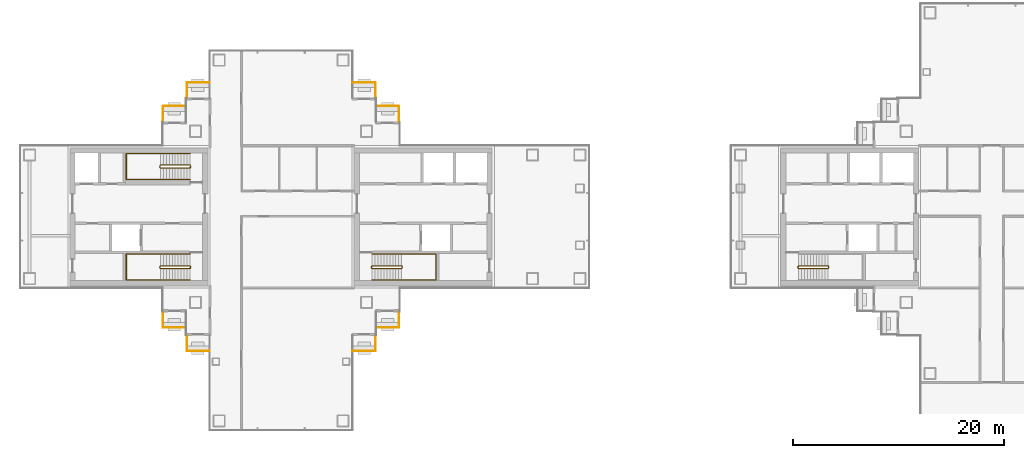
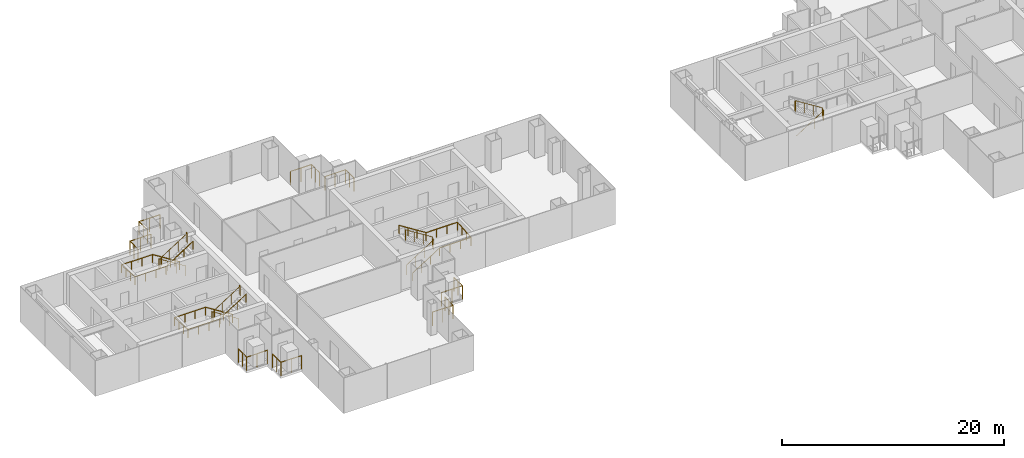
# One storey, part 15 of 17: 15 railings.
"""IFC4 building model written with IfcOpenShell, lengths in metres."""

from ifc_helpers import new_model, si_unit, direction, frame, origin, origin_2d, place, context, subcontext, project, spatial, circle, extrude, material, type_object, element, save


model = new_model("IFC4")

# Units and contexts
model_context = context("Model", 3, precision=1e-05, world=origin(), true_north=direction((0.0, 1.0)))
body_context = subcontext(model_context, "Body", "Model", "MODEL_VIEW")
ifc_project = project(units=[si_unit("LENGTHUNIT", "METRE"), si_unit("AREAUNIT", "SQUARE_METRE"), si_unit("VOLUMEUNIT", "CUBIC_METRE"), si_unit("PLANEANGLEUNIT", "RADIAN"), si_unit("MASSUNIT", "GRAM", prefix="KILO")], contexts=[model_context])

# Site, building, storey
site_placement = place(None, origin())
site = spatial("IfcSite", under=ifc_project, at=site_placement, CompositionType="ELEMENT")
building_placement = place(site_placement, origin())
building = spatial("IfcBuilding", under=site, at=building_placement, Name="Shamsa Quay Exchange Towers", CompositionType="ELEMENT")
storey_placement = place(building_placement, frame((0.0, 0.0, 174.0)))
storey = spatial("IfcBuildingStorey", under=building, at=storey_placement, Name="L41", CompositionType="ELEMENT", Elevation=174.0)

# Railings
ifc_material_1 = material(Name="Steel S355, black powder-coated", Category="steel")
railing_type_1 = type_object("IfcRailingType", Name="BALCONY GUARD 1500", PredefinedType="GUARDRAIL", material=ifc_material_1)
for number, where, name in (
    (1, (-22.550048828125, 9.02099609375, 0.0), "Balcony guard T1-PKEN L41"),
    (2, (-24.800048828125, 11.27099609375, 0.0), "Balcony guard T1-PKEN L41"),
):
    element("IfcRailing", number, at=place(storey_placement, frame(where)), inside=storey, type_object=railing_type_1, Name=name, PredefinedType="GUARDRAIL", context=body_context, shape_type="SweptSolid", body=[
        extrude(circle(Radius=0.02392578125, at=origin_2d()), frame((0.0, 0.0, 1.47607421875), z_axis=(0.0, 1.0, 0.0), x_axis=(-1.0, 0.0, 0.0)), (0.0, 0.0, 1.0), 1.47900390625),
        extrude(circle(Radius=0.02392578125, at=origin_2d()), frame((0.0, 1.47900390625, 1.47607421875), z_axis=(-1.0, 0.0, 0.0), x_axis=(0.0, -1.0, 0.0)), (0.0, 0.0, 1.0), 2.161865234375),
        extrude(circle(Radius=0.02099609375, at=origin_2d()), origin(), (0.0, 0.0, 1.0), 1.451904296875),
        extrude(circle(Radius=0.02099609375, at=origin_2d()), frame((0.0, 0.739501953125, 0.0)), (0.0, 0.0, 1.0), 1.451904296875),
        extrude(circle(Radius=0.02099609375, at=origin_2d()), frame((0.0, 1.47900390625, 0.0)), (0.0, 0.0, 1.0), 1.451904296875),
        extrude(circle(Radius=0.02099609375, at=origin_2d()), frame((-1.0810546875, 1.47900390625, 0.0)), (0.0, 0.0, 1.0), 1.451904296875),
        extrude(circle(Radius=0.02099609375, at=origin_2d()), frame((-2.161865234375, 1.47900390625, 0.0)), (0.0, 0.0, 1.0), 1.451904296875),
    ])
for number, where, name in (
    (3, (-24.7119140625, -10.5, 0.0), "Balcony guard T1-PKES L41"),
    (4, (-26.9619140625, -12.75, 0.0), "Balcony guard T1-PKES L41"),
):
    element("IfcRailing", number, at=place(storey_placement, frame(where)), inside=storey, type_object=railing_type_1, Name=name, PredefinedType="GUARDRAIL", context=body_context, shape_type="SweptSolid", body=[
        extrude(circle(Radius=0.02392578125, at=origin_2d()), frame((0.0, 0.0, 1.47607421875), z_axis=(1.0, 0.0, 0.0), x_axis=(0.0, 1.0, 0.0)), (0.0, 0.0, 1.0), 2.161865234375),
        extrude(circle(Radius=0.02392578125, at=origin_2d()), frame((2.161865234375, 0.0, 1.47607421875), z_axis=(0.0, 1.0, 0.0), x_axis=(-1.0, 0.0, 0.0)), (0.0, 0.0, 1.0), 1.47900390625),
        extrude(circle(Radius=0.02099609375, at=origin_2d()), origin(), (0.0, 0.0, 1.0), 1.451904296875),
        extrude(circle(Radius=0.02099609375, at=origin_2d()), frame((1.0810546875, 0.0, 0.0)), (0.0, 0.0, 1.0), 1.451904296875),
        extrude(circle(Radius=0.02099609375, at=origin_2d()), frame((2.161865234375, 0.0, 0.0)), (0.0, 0.0, 1.0), 1.451904296875),
        extrude(circle(Radius=0.02099609375, at=origin_2d()), frame((2.161865234375, 0.739501953125, 0.0)), (0.0, 0.0, 1.0), 1.451904296875),
        extrude(circle(Radius=0.02099609375, at=origin_2d()), frame((2.161865234375, 1.47900390625, 0.0)), (0.0, 0.0, 1.0), 1.451904296875),
    ])
for number, where, name in (
    (5, (-40.5380859375, 12.75, 0.0), "Balcony guard T1-PKWN L41"),
    (6, (-42.7880859375, 10.5, 0.0), "Balcony guard T1-PKWN L41"),
):
    element("IfcRailing", number, at=place(storey_placement, frame(where)), inside=storey, type_object=railing_type_1, Name=name, PredefinedType="GUARDRAIL", context=body_context, shape_type="SweptSolid", body=[
        extrude(circle(Radius=0.02392578125, at=origin_2d()), frame((0.0, 0.0, 1.47607421875), z_axis=(-1.0, 0.0, 0.0), x_axis=(0.0, -1.0, 0.0)), (0.0, 0.0, 1.0), 2.161865234375),
        extrude(circle(Radius=0.02392578125, at=origin_2d()), frame((-2.161865234375, 0.0, 1.47607421875), z_axis=(0.0, -1.0, 0.0), x_axis=(1.0, 0.0, 0.0)), (0.0, 0.0, 1.0), 1.47900390625),
        extrude(circle(Radius=0.02099609375, at=origin_2d()), origin(), (0.0, 0.0, 1.0), 1.451904296875),
        extrude(circle(Radius=0.02099609375, at=origin_2d()), frame((-1.0810546875, 0.0, 0.0)), (0.0, 0.0, 1.0), 1.451904296875),
        extrude(circle(Radius=0.02099609375, at=origin_2d()), frame((-2.161865234375, 0.0, 0.0)), (0.0, 0.0, 1.0), 1.451904296875),
        extrude(circle(Radius=0.02099609375, at=origin_2d()), frame((-2.161865234375, -0.739501953125, 0.0)), (0.0, 0.0, 1.0), 1.451904296875),
        extrude(circle(Radius=0.02099609375, at=origin_2d()), frame((-2.161865234375, -1.47900390625, 0.0)), (0.0, 0.0, 1.0), 1.451904296875),
    ])
for number, where, name in (
    (7, (-44.949951171875, -9.02099609375, 0.0), "Balcony guard T1-PKWS L41"),
    (8, (-42.699951171875, -11.27099609375, 0.0), "Balcony guard T1-PKWS L41"),
):
    element("IfcRailing", number, at=place(storey_placement, frame(where)), inside=storey, type_object=railing_type_1, Name=name, PredefinedType="GUARDRAIL", context=body_context, shape_type="SweptSolid", body=[
        extrude(circle(Radius=0.02392578125, at=origin_2d()), frame((0.0, 0.0, 1.47607421875), z_axis=(0.0, -1.0, 0.0), x_axis=(1.0, 0.0, 0.0)), (0.0, 0.0, 1.0), 1.47900390625),
        extrude(circle(Radius=0.02392578125, at=origin_2d()), frame((0.0, -1.47900390625, 1.47607421875), z_axis=(1.0, 0.0, 0.0), x_axis=(0.0, 1.0, 0.0)), (0.0, 0.0, 1.0), 2.161865234375),
        extrude(circle(Radius=0.02099609375, at=origin_2d()), origin(), (0.0, 0.0, 1.0), 1.451904296875),
        extrude(circle(Radius=0.02099609375, at=origin_2d()), frame((0.0, -0.739501953125, 0.0)), (0.0, 0.0, 1.0), 1.451904296875),
        extrude(circle(Radius=0.02099609375, at=origin_2d()), frame((0.0, -1.47900390625, 0.0)), (0.0, 0.0, 1.0), 1.451904296875),
        extrude(circle(Radius=0.02099609375, at=origin_2d()), frame((1.0810546875, -1.47900390625, 0.0)), (0.0, 0.0, 1.0), 1.451904296875),
        extrude(circle(Radius=0.02099609375, at=origin_2d()), frame((2.161865234375, -1.47900390625, 0.0)), (0.0, 0.0, 1.0), 1.451904296875),
    ])
ifc_material_2 = material(Name="Stainless steel", Category="steel")
railing_type_2 = type_object("IfcRailingType", Name="STAIR GUARD 1100", PredefinedType="GUARDRAIL", material=ifc_material_2)
railing_1_placement = place(storey_placement, frame((-25.10009765625, -4.89990234375, 0.17724609375)))
element("IfcRailing", 9, at=railing_1_placement, inside=storey, type_object=railing_type_2, Name="L41 ST1 stair guard 1", PredefinedType="GUARDRAIL", context=body_context, shape_type="SweptSolid", body=[
    extrude(circle(Radius=0.02392578125, at=origin_2d()), frame((0.0, 0.0, 1.076171875), z_axis=(0.844908973607, 0.0, 0.534910110503), x_axis=(0.0, 1.0, 0.0)), (0.0, 0.0, 1.0), 3.31396484375),
    extrude(circle(Radius=0.02392578125, at=origin_2d()), frame((2.800048828125, 0.0, 2.8486328125), z_axis=(0.708833529934, 0.705375805398, 0.0), x_axis=(-0.705375805398, 0.708833529934, 0.0)), (0.0, 0.0, 1.0), 0.070556640625),
    extrude(circle(Radius=0.02392578125, at=origin_2d()), frame((2.85009765625, 0.0498046875, 2.8486328125), z_axis=(0.0, 1.0, 0.0), x_axis=(-1.0, 0.0, 0.0)), (0.0, 0.0, 1.0), 0.150146484375),
    extrude(circle(Radius=0.02392578125, at=origin_2d()), frame((2.85009765625, 0.199951171875, 2.8486328125), z_axis=(-0.262233686654, 0.262233686654, 0.928691007369), x_axis=(-0.707106781187, -0.707106781187, 0.0)), (0.0, 0.0, 1.0), 0.19091796875),
    extrude(circle(Radius=0.02392578125, at=origin_2d()), frame((2.800048828125, 0.25, 3.02587890625), z_axis=(-0.844908973607, 0.0, 0.534910110503), x_axis=(0.0, -1.0, 0.0)), (0.0, 0.0, 1.0), 3.31396484375),
    extrude(circle(Radius=0.02392578125, at=origin_2d()), frame((0.0, 0.25, 4.798828125), z_axis=(-0.24142163986, -0.970420317083, 0.0), x_axis=(0.970420317083, -0.24142163986, 0.0)), (0.0, 0.0, 1.0), 0.206298828125),
    extrude(circle(Radius=0.02392578125, at=origin_2d()), frame((-0.0498046875, 0.0498046875, 4.798828125), z_axis=(0.0, 1.0, 0.0), x_axis=(-1.0, 0.0, 0.0)), (0.0, 0.0, 1.0), 0.150146484375),
    extrude(circle(Radius=0.02099609375, at=origin_2d()), origin(), (0.0, 0.0, 1.0), 1.052001953125),
    extrude(circle(Radius=0.02099609375, at=origin_2d()), frame((0.933349609375, 0.0, 0.5908203125)), (0.0, 0.0, 1.0), 1.052001953125),
    extrude(circle(Radius=0.02099609375, at=origin_2d()), frame((1.86669921875, 0.0, 1.181884765625)), (0.0, 0.0, 1.0), 1.052001953125),
    extrude(circle(Radius=0.02099609375, at=origin_2d()), frame((2.800048828125, 0.0, 1.772705078125)), (0.0, 0.0, 1.0), 1.052001953125),
    extrude(circle(Radius=0.02099609375, at=origin_2d()), frame((2.85009765625, 0.0498046875, 1.772705078125)), (0.0, 0.0, 1.0), 1.052001953125),
    extrude(circle(Radius=0.02099609375, at=origin_2d()), frame((2.85009765625, 0.199951171875, 1.772705078125)), (0.0, 0.0, 1.0), 1.052001953125),
    extrude(circle(Radius=0.02099609375, at=origin_2d()), frame((2.800048828125, 0.25, 1.949951171875)), (0.0, 0.0, 1.0), 1.052001953125),
    extrude(circle(Radius=0.02099609375, at=origin_2d()), frame((1.86669921875, 0.25, 2.540771484375)), (0.0, 0.0, 1.0), 1.052001953125),
    extrude(circle(Radius=0.02099609375, at=origin_2d()), frame((0.933349609375, 0.25, 3.1318359375)), (0.0, 0.0, 1.0), 1.052001953125),
    extrude(circle(Radius=0.02099609375, at=origin_2d()), frame((0.0, 0.25, 3.72265625)), (0.0, 0.0, 1.0), 1.052001953125),
    extrude(circle(Radius=0.02099609375, at=origin_2d()), frame((-0.0498046875, 0.0498046875, 3.72265625)), (0.0, 0.0, 1.0), 1.052001953125),
    extrude(circle(Radius=0.02099609375, at=origin_2d()), frame((-0.0498046875, 0.199951171875, 3.72265625)), (0.0, 0.0, 1.0), 1.052001953125),
])
railing_2_placement = place(storey_placement, frame((-42.39990234375, -4.64990234375, 0.17724609375)))
element("IfcRailing", 10, at=railing_2_placement, inside=storey, type_object=railing_type_2, Name="L41 ST2 stair guard 1", PredefinedType="GUARDRAIL", context=body_context, shape_type="SweptSolid", body=[
    extrude(circle(Radius=0.02392578125, at=origin_2d()), frame((0.0, 0.0, 1.076171875), z_axis=(-0.844908973607, 0.0, 0.534910110503), x_axis=(0.0, -1.0, 0.0)), (0.0, 0.0, 1.0), 3.31396484375),
    extrude(circle(Radius=0.02392578125, at=origin_2d()), frame((-2.800048828125, 0.0, 2.8486328125), z_axis=(-0.707106781187, -0.707106781187, 0.0), x_axis=(0.707106781187, -0.707106781187, 0.0)), (0.0, 0.0, 1.0), 0.07080078125),
    extrude(circle(Radius=0.02392578125, at=origin_2d()), frame((-2.85009765625, -0.050048828125, 2.8486328125), z_axis=(0.0, -1.0, 0.0), x_axis=(1.0, 0.0, 0.0)), (0.0, 0.0, 1.0), 0.150146484375),
    extrude(circle(Radius=0.02392578125, at=origin_2d()), frame((-2.85009765625, -0.2001953125, 2.8486328125), z_axis=(0.262321481514, -0.261041864531, 0.929001929653), x_axis=(0.705375805398, 0.708833529934, 0.0)), (0.0, 0.0, 1.0), 0.190673828125),
    extrude(circle(Radius=0.02392578125, at=origin_2d()), frame((-2.800048828125, -0.25, 3.02587890625), z_axis=(0.844908973607, 0.0, 0.534910110503), x_axis=(0.0, 1.0, 0.0)), (0.0, 0.0, 1.0), 3.31396484375),
    extrude(circle(Radius=0.02392578125, at=origin_2d()), frame((0.0, -0.25, 4.798828125), z_axis=(0.241699205484, 0.970351222016, 0.0), x_axis=(-0.970351222016, 0.241699205484, 0.0)), (0.0, 0.0, 1.0), 0.2060546875),
    extrude(circle(Radius=0.02392578125, at=origin_2d()), frame((0.0498046875, -0.050048828125, 4.798828125), z_axis=(0.0, -1.0, 0.0), x_axis=(1.0, 0.0, 0.0)), (0.0, 0.0, 1.0), 0.150146484375),
    extrude(circle(Radius=0.02099609375, at=origin_2d()), origin(), (0.0, 0.0, 1.0), 1.052001953125),
    extrude(circle(Radius=0.02099609375, at=origin_2d()), frame((-0.933349609375, 0.0, 0.5908203125)), (0.0, 0.0, 1.0), 1.052001953125),
    extrude(circle(Radius=0.02099609375, at=origin_2d()), frame((-1.86669921875, 0.0, 1.181884765625)), (0.0, 0.0, 1.0), 1.052001953125),
    extrude(circle(Radius=0.02099609375, at=origin_2d()), frame((-2.800048828125, 0.0, 1.772705078125)), (0.0, 0.0, 1.0), 1.052001953125),
    extrude(circle(Radius=0.02099609375, at=origin_2d()), frame((-2.85009765625, -0.050048828125, 1.772705078125)), (0.0, 0.0, 1.0), 1.052001953125),
    extrude(circle(Radius=0.02099609375, at=origin_2d()), frame((-2.85009765625, -0.2001953125, 1.772705078125)), (0.0, 0.0, 1.0), 1.052001953125),
    extrude(circle(Radius=0.02099609375, at=origin_2d()), frame((-2.800048828125, -0.25, 1.949951171875)), (0.0, 0.0, 1.0), 1.052001953125),
    extrude(circle(Radius=0.02099609375, at=origin_2d()), frame((-1.86669921875, -0.25, 2.540771484375)), (0.0, 0.0, 1.0), 1.052001953125),
    extrude(circle(Radius=0.02099609375, at=origin_2d()), frame((-0.933349609375, -0.25, 3.1318359375)), (0.0, 0.0, 1.0), 1.052001953125),
    extrude(circle(Radius=0.02099609375, at=origin_2d()), frame((0.0, -0.25, 3.72265625)), (0.0, 0.0, 1.0), 1.052001953125),
    extrude(circle(Radius=0.02099609375, at=origin_2d()), frame((0.0498046875, -0.050048828125, 3.72265625)), (0.0, 0.0, 1.0), 1.052001953125),
    extrude(circle(Radius=0.02099609375, at=origin_2d()), frame((0.0498046875, -0.2001953125, 3.72265625)), (0.0, 0.0, 1.0), 1.052001953125),
])
railing_3_placement = place(storey_placement, frame((-42.39990234375, 4.89990234375, 0.17724609375)))
element("IfcRailing", 11, at=railing_3_placement, inside=storey, type_object=railing_type_2, Name="L41 ST3 stair guard 1", PredefinedType="GUARDRAIL", context=body_context, shape_type="SweptSolid", body=[
    extrude(circle(Radius=0.02392578125, at=origin_2d()), frame((0.0, 0.0, 1.076171875), z_axis=(-0.844908973607, 0.0, 0.534910110503), x_axis=(0.0, -1.0, 0.0)), (0.0, 0.0, 1.0), 3.31396484375),
    extrude(circle(Radius=0.02392578125, at=origin_2d()), frame((-2.800048828125, 0.0, 2.8486328125), z_axis=(-0.708833529934, -0.705375805398, 0.0), x_axis=(0.705375805398, -0.708833529934, 0.0)), (0.0, 0.0, 1.0), 0.070556640625),
    extrude(circle(Radius=0.02392578125, at=origin_2d()), frame((-2.85009765625, -0.0498046875, 2.8486328125), z_axis=(0.0, -1.0, 0.0), x_axis=(1.0, 0.0, 0.0)), (0.0, 0.0, 1.0), 0.150146484375),
    extrude(circle(Radius=0.02392578125, at=origin_2d()), frame((-2.85009765625, -0.199951171875, 2.8486328125), z_axis=(0.262233686654, -0.262233686654, 0.928691007369), x_axis=(0.707106781187, 0.707106781187, 0.0)), (0.0, 0.0, 1.0), 0.19091796875),
    extrude(circle(Radius=0.02392578125, at=origin_2d()), frame((-2.800048828125, -0.25, 3.02587890625), z_axis=(0.844908973607, 0.0, 0.534910110503), x_axis=(0.0, 1.0, 0.0)), (0.0, 0.0, 1.0), 3.31396484375),
    extrude(circle(Radius=0.02392578125, at=origin_2d()), frame((0.0, -0.25, 4.798828125), z_axis=(0.24142163986, 0.970420317083, 0.0), x_axis=(-0.970420317083, 0.24142163986, 0.0)), (0.0, 0.0, 1.0), 0.206298828125),
    extrude(circle(Radius=0.02392578125, at=origin_2d()), frame((0.0498046875, -0.0498046875, 4.798828125), z_axis=(0.0, -1.0, 0.0), x_axis=(1.0, 0.0, 0.0)), (0.0, 0.0, 1.0), 0.150146484375),
    extrude(circle(Radius=0.02099609375, at=origin_2d()), origin(), (0.0, 0.0, 1.0), 1.052001953125),
    extrude(circle(Radius=0.02099609375, at=origin_2d()), frame((-0.933349609375, 0.0, 0.5908203125)), (0.0, 0.0, 1.0), 1.052001953125),
    extrude(circle(Radius=0.02099609375, at=origin_2d()), frame((-1.86669921875, 0.0, 1.181884765625)), (0.0, 0.0, 1.0), 1.052001953125),
    extrude(circle(Radius=0.02099609375, at=origin_2d()), frame((-2.800048828125, 0.0, 1.772705078125)), (0.0, 0.0, 1.0), 1.052001953125),
    extrude(circle(Radius=0.02099609375, at=origin_2d()), frame((-2.85009765625, -0.0498046875, 1.772705078125)), (0.0, 0.0, 1.0), 1.052001953125),
    extrude(circle(Radius=0.02099609375, at=origin_2d()), frame((-2.85009765625, -0.199951171875, 1.772705078125)), (0.0, 0.0, 1.0), 1.052001953125),
    extrude(circle(Radius=0.02099609375, at=origin_2d()), frame((-2.800048828125, -0.25, 1.949951171875)), (0.0, 0.0, 1.0), 1.052001953125),
    extrude(circle(Radius=0.02099609375, at=origin_2d()), frame((-1.86669921875, -0.25, 2.540771484375)), (0.0, 0.0, 1.0), 1.052001953125),
    extrude(circle(Radius=0.02099609375, at=origin_2d()), frame((-0.933349609375, -0.25, 3.1318359375)), (0.0, 0.0, 1.0), 1.052001953125),
    extrude(circle(Radius=0.02099609375, at=origin_2d()), frame((0.0, -0.25, 3.72265625)), (0.0, 0.0, 1.0), 1.052001953125),
    extrude(circle(Radius=0.02099609375, at=origin_2d()), frame((0.0498046875, -0.0498046875, 3.72265625)), (0.0, 0.0, 1.0), 1.052001953125),
    extrude(circle(Radius=0.02099609375, at=origin_2d()), frame((0.0498046875, -0.199951171875, 3.72265625)), (0.0, 0.0, 1.0), 1.052001953125),
])
railing_4_placement = place(storey_placement, frame((15.39990234375, -4.89990234375, 0.17724609375)))
element("IfcRailing", 12, at=railing_4_placement, inside=storey, type_object=railing_type_2, Name="L41 ST4 stair guard 1", PredefinedType="GUARDRAIL", context=body_context, shape_type="SweptSolid", body=[
    extrude(circle(Radius=0.02392578125, at=origin_2d()), frame((0.0, 0.0, 1.076171875), z_axis=(0.844908973607, 0.0, 0.534910110503), x_axis=(0.0, 1.0, 0.0)), (0.0, 0.0, 1.0), 3.31396484375),
    extrude(circle(Radius=0.02392578125, at=origin_2d()), frame((2.800048828125, 0.0, 2.8486328125), z_axis=(0.708833529934, 0.705375805398, 0.0), x_axis=(-0.705375805398, 0.708833529934, 0.0)), (0.0, 0.0, 1.0), 0.070556640625),
    extrude(circle(Radius=0.02392578125, at=origin_2d()), frame((2.85009765625, 0.0498046875, 2.8486328125), z_axis=(0.0, 1.0, 0.0), x_axis=(-1.0, 0.0, 0.0)), (0.0, 0.0, 1.0), 0.150146484375),
    extrude(circle(Radius=0.02392578125, at=origin_2d()), frame((2.85009765625, 0.199951171875, 2.8486328125), z_axis=(-0.262233686654, 0.262233686654, 0.928691007369), x_axis=(-0.707106781187, -0.707106781187, 0.0)), (0.0, 0.0, 1.0), 0.19091796875),
    extrude(circle(Radius=0.02392578125, at=origin_2d()), frame((2.800048828125, 0.25, 3.02587890625), z_axis=(-0.844908973607, 0.0, 0.534910110503), x_axis=(0.0, -1.0, 0.0)), (0.0, 0.0, 1.0), 3.31396484375),
    extrude(circle(Radius=0.02392578125, at=origin_2d()), frame((0.0, 0.25, 4.798828125), z_axis=(-0.24142163986, -0.970420317083, 0.0), x_axis=(0.970420317083, -0.24142163986, 0.0)), (0.0, 0.0, 1.0), 0.206298828125),
    extrude(circle(Radius=0.02392578125, at=origin_2d()), frame((-0.0498046875, 0.0498046875, 4.798828125), z_axis=(0.0, 1.0, 0.0), x_axis=(-1.0, 0.0, 0.0)), (0.0, 0.0, 1.0), 0.150146484375),
    extrude(circle(Radius=0.02099609375, at=origin_2d()), origin(), (0.0, 0.0, 1.0), 1.052001953125),
    extrude(circle(Radius=0.02099609375, at=origin_2d()), frame((0.933349609375, 0.0, 0.5908203125)), (0.0, 0.0, 1.0), 1.052001953125),
    extrude(circle(Radius=0.02099609375, at=origin_2d()), frame((1.86669921875, 0.0, 1.181884765625)), (0.0, 0.0, 1.0), 1.052001953125),
    extrude(circle(Radius=0.02099609375, at=origin_2d()), frame((2.800048828125, 0.0, 1.772705078125)), (0.0, 0.0, 1.0), 1.052001953125),
    extrude(circle(Radius=0.02099609375, at=origin_2d()), frame((2.85009765625, 0.0498046875, 1.772705078125)), (0.0, 0.0, 1.0), 1.052001953125),
    extrude(circle(Radius=0.02099609375, at=origin_2d()), frame((2.85009765625, 0.199951171875, 1.772705078125)), (0.0, 0.0, 1.0), 1.052001953125),
    extrude(circle(Radius=0.02099609375, at=origin_2d()), frame((2.800048828125, 0.25, 1.949951171875)), (0.0, 0.0, 1.0), 1.052001953125),
    extrude(circle(Radius=0.02099609375, at=origin_2d()), frame((1.86669921875, 0.25, 2.540771484375)), (0.0, 0.0, 1.0), 1.052001953125),
    extrude(circle(Radius=0.02099609375, at=origin_2d()), frame((0.933349609375, 0.25, 3.1318359375)), (0.0, 0.0, 1.0), 1.052001953125),
    extrude(circle(Radius=0.02099609375, at=origin_2d()), frame((0.0, 0.25, 3.72265625)), (0.0, 0.0, 1.0), 1.052001953125),
    extrude(circle(Radius=0.02099609375, at=origin_2d()), frame((-0.0498046875, 0.0498046875, 3.72265625)), (0.0, 0.0, 1.0), 1.052001953125),
    extrude(circle(Radius=0.02099609375, at=origin_2d()), frame((-0.0498046875, 0.199951171875, 3.72265625)), (0.0, 0.0, 1.0), 1.052001953125),
])
railing_type_3 = type_object("IfcRailingType", Name="STAIR HANDRAIL 900", PredefinedType="HANDRAIL", material=ifc_material_2)
railing_5_placement = place(storey_placement, frame((-25.10009765625, -6.0, 0.17724609375)))
element("IfcRailing", 13, at=railing_5_placement, inside=storey, type_object=railing_type_3, Name="L41 ST1 stair handrail 1", PredefinedType="HANDRAIL", context=body_context, shape_type="SweptSolid", body=[
    extrude(circle(Radius=0.02392578125, at=origin_2d()), frame((0.0, 0.0, 0.8759765625), z_axis=(0.844908973607, 0.0, 0.534910110503), x_axis=(0.0, 1.0, 0.0)), (0.0, 0.0, 1.0), 3.31396484375),
    extrude(circle(Radius=0.02392578125, at=origin_2d()), frame((2.800048828125, 0.0, 2.6484375), z_axis=(1.0, 0.0, 0.0), x_axis=(0.0, 1.0, 0.0)), (0.0, 0.0, 1.0), 3.25),
    extrude(circle(Radius=0.02392578125, at=origin_2d()), frame((6.050048828125, 0.0, 2.6484375), z_axis=(0.0, 0.997393199914, 0.07215819264), x_axis=(-1.0, 0.0, 0.0)), (0.0, 0.0, 1.0), 2.456298828125),
    extrude(circle(Radius=0.02392578125, at=origin_2d()), frame((6.050048828125, 2.449951171875, 2.82568359375), z_axis=(-1.0, 0.0, 0.0), x_axis=(0.0, -1.0, 0.0)), (0.0, 0.0, 1.0), 3.25),
    extrude(circle(Radius=0.02392578125, at=origin_2d()), frame((2.800048828125, 2.449951171875, 2.82568359375), z_axis=(-0.844908973607, 0.0, 0.534910110503), x_axis=(0.0, -1.0, 0.0)), (0.0, 0.0, 1.0), 3.31396484375),
    extrude(circle(Radius=0.02099609375, at=origin_2d()), origin(), (0.0, 0.0, 1.0), 0.851806640625),
    extrude(circle(Radius=0.02099609375, at=origin_2d()), frame((0.933349609375, 0.0, 0.5908203125)), (0.0, 0.0, 1.0), 0.851806640625),
    extrude(circle(Radius=0.02099609375, at=origin_2d()), frame((1.86669921875, 0.0, 1.181884765625)), (0.0, 0.0, 1.0), 0.851806640625),
    extrude(circle(Radius=0.02099609375, at=origin_2d()), frame((2.800048828125, 0.0, 1.772705078125)), (0.0, 0.0, 1.0), 0.851806640625),
    extrude(circle(Radius=0.02099609375, at=origin_2d()), frame((3.88330078125, 0.0, 1.772705078125)), (0.0, 0.0, 1.0), 0.851806640625),
    extrude(circle(Radius=0.02099609375, at=origin_2d()), frame((4.966796875, 0.0, 1.772705078125)), (0.0, 0.0, 1.0), 0.851806640625),
    extrude(circle(Radius=0.02099609375, at=origin_2d()), frame((6.050048828125, 0.0, 1.772705078125)), (0.0, 0.0, 1.0), 0.851806640625),
    extrude(circle(Radius=0.02099609375, at=origin_2d()), frame((6.050048828125, 0.816650390625, 1.831787109375)), (0.0, 0.0, 1.0), 0.851806640625),
    extrude(circle(Radius=0.02099609375, at=origin_2d()), frame((6.050048828125, 1.63330078125, 1.890869140625)), (0.0, 0.0, 1.0), 0.851806640625),
    extrude(circle(Radius=0.02099609375, at=origin_2d()), frame((6.050048828125, 2.449951171875, 1.949951171875)), (0.0, 0.0, 1.0), 0.851806640625),
    extrude(circle(Radius=0.02099609375, at=origin_2d()), frame((4.966796875, 2.449951171875, 1.949951171875)), (0.0, 0.0, 1.0), 0.851806640625),
    extrude(circle(Radius=0.02099609375, at=origin_2d()), frame((3.88330078125, 2.449951171875, 1.949951171875)), (0.0, 0.0, 1.0), 0.851806640625),
    extrude(circle(Radius=0.02099609375, at=origin_2d()), frame((2.800048828125, 2.449951171875, 1.949951171875)), (0.0, 0.0, 1.0), 0.851806640625),
    extrude(circle(Radius=0.02099609375, at=origin_2d()), frame((1.86669921875, 2.449951171875, 2.540771484375)), (0.0, 0.0, 1.0), 0.851806640625),
    extrude(circle(Radius=0.02099609375, at=origin_2d()), frame((0.933349609375, 2.449951171875, 3.1318359375)), (0.0, 0.0, 1.0), 0.851806640625),
    extrude(circle(Radius=0.02099609375, at=origin_2d()), frame((0.0, 2.449951171875, 3.72265625)), (0.0, 0.0, 1.0), 0.851806640625),
])
railing_6_placement = place(storey_placement, frame((-42.39990234375, -3.550048828125, 0.17724609375)))
element("IfcRailing", 14, at=railing_6_placement, inside=storey, type_object=railing_type_3, Name="L41 ST2 stair handrail 1", PredefinedType="HANDRAIL", context=body_context, shape_type="SweptSolid", body=[
    extrude(circle(Radius=0.02392578125, at=origin_2d()), frame((0.0, 0.0, 0.8759765625), z_axis=(-0.844908973607, 0.0, 0.534910110503), x_axis=(0.0, -1.0, 0.0)), (0.0, 0.0, 1.0), 3.31396484375),
    extrude(circle(Radius=0.02392578125, at=origin_2d()), frame((-2.800048828125, 0.0, 2.6484375), z_axis=(-1.0, 0.0, 0.0), x_axis=(0.0, -1.0, 0.0)), (0.0, 0.0, 1.0), 3.25),
    extrude(circle(Radius=0.02392578125, at=origin_2d()), frame((-6.050048828125, 0.0, 2.6484375), z_axis=(0.0, -0.997393199914, 0.07215819264), x_axis=(1.0, 0.0, 0.0)), (0.0, 0.0, 1.0), 2.456298828125),
    extrude(circle(Radius=0.02392578125, at=origin_2d()), frame((-6.050048828125, -2.449951171875, 2.82568359375), z_axis=(1.0, 0.0, 0.0), x_axis=(0.0, 1.0, 0.0)), (0.0, 0.0, 1.0), 3.25),
    extrude(circle(Radius=0.02392578125, at=origin_2d()), frame((-2.800048828125, -2.449951171875, 2.82568359375), z_axis=(0.844908973607, 0.0, 0.534910110503), x_axis=(0.0, 1.0, 0.0)), (0.0, 0.0, 1.0), 3.31396484375),
    extrude(circle(Radius=0.02099609375, at=origin_2d()), origin(), (0.0, 0.0, 1.0), 0.851806640625),
    extrude(circle(Radius=0.02099609375, at=origin_2d()), frame((-0.933349609375, 0.0, 0.5908203125)), (0.0, 0.0, 1.0), 0.851806640625),
    extrude(circle(Radius=0.02099609375, at=origin_2d()), frame((-1.86669921875, 0.0, 1.181884765625)), (0.0, 0.0, 1.0), 0.851806640625),
    extrude(circle(Radius=0.02099609375, at=origin_2d()), frame((-2.800048828125, 0.0, 1.772705078125)), (0.0, 0.0, 1.0), 0.851806640625),
    extrude(circle(Radius=0.02099609375, at=origin_2d()), frame((-3.88330078125, 0.0, 1.772705078125)), (0.0, 0.0, 1.0), 0.851806640625),
    extrude(circle(Radius=0.02099609375, at=origin_2d()), frame((-4.966796875, 0.0, 1.772705078125)), (0.0, 0.0, 1.0), 0.851806640625),
    extrude(circle(Radius=0.02099609375, at=origin_2d()), frame((-6.050048828125, 0.0, 1.772705078125)), (0.0, 0.0, 1.0), 0.851806640625),
    extrude(circle(Radius=0.02099609375, at=origin_2d()), frame((-6.050048828125, -0.816650390625, 1.831787109375)), (0.0, 0.0, 1.0), 0.851806640625),
    extrude(circle(Radius=0.02099609375, at=origin_2d()), frame((-6.050048828125, -1.63330078125, 1.890869140625)), (0.0, 0.0, 1.0), 0.851806640625),
    extrude(circle(Radius=0.02099609375, at=origin_2d()), frame((-6.050048828125, -2.449951171875, 1.949951171875)), (0.0, 0.0, 1.0), 0.851806640625),
    extrude(circle(Radius=0.02099609375, at=origin_2d()), frame((-4.966796875, -2.449951171875, 1.949951171875)), (0.0, 0.0, 1.0), 0.851806640625),
    extrude(circle(Radius=0.02099609375, at=origin_2d()), frame((-3.88330078125, -2.449951171875, 1.949951171875)), (0.0, 0.0, 1.0), 0.851806640625),
    extrude(circle(Radius=0.02099609375, at=origin_2d()), frame((-2.800048828125, -2.449951171875, 1.949951171875)), (0.0, 0.0, 1.0), 0.851806640625),
    extrude(circle(Radius=0.02099609375, at=origin_2d()), frame((-1.86669921875, -2.449951171875, 2.540771484375)), (0.0, 0.0, 1.0), 0.851806640625),
    extrude(circle(Radius=0.02099609375, at=origin_2d()), frame((-0.933349609375, -2.449951171875, 3.1318359375)), (0.0, 0.0, 1.0), 0.851806640625),
    extrude(circle(Radius=0.02099609375, at=origin_2d()), frame((0.0, -2.449951171875, 3.72265625)), (0.0, 0.0, 1.0), 0.851806640625),
])
railing_7_placement = place(storey_placement, frame((-42.39990234375, 6.0, 0.17724609375)))
element("IfcRailing", 15, at=railing_7_placement, inside=storey, type_object=railing_type_3, Name="L41 ST3 stair handrail 1", PredefinedType="HANDRAIL", context=body_context, shape_type="SweptSolid", body=[
    extrude(circle(Radius=0.02392578125, at=origin_2d()), frame((0.0, 0.0, 0.8759765625), z_axis=(-0.844908973607, 0.0, 0.534910110503), x_axis=(0.0, -1.0, 0.0)), (0.0, 0.0, 1.0), 3.31396484375),
    extrude(circle(Radius=0.02392578125, at=origin_2d()), frame((-2.800048828125, 0.0, 2.6484375), z_axis=(-1.0, 0.0, 0.0), x_axis=(0.0, -1.0, 0.0)), (0.0, 0.0, 1.0), 3.25),
    extrude(circle(Radius=0.02392578125, at=origin_2d()), frame((-6.050048828125, 0.0, 2.6484375), z_axis=(0.0, -0.997393199914, 0.07215819264), x_axis=(1.0, 0.0, 0.0)), (0.0, 0.0, 1.0), 2.456298828125),
    extrude(circle(Radius=0.02392578125, at=origin_2d()), frame((-6.050048828125, -2.449951171875, 2.82568359375), z_axis=(1.0, 0.0, 0.0), x_axis=(0.0, 1.0, 0.0)), (0.0, 0.0, 1.0), 3.25),
    extrude(circle(Radius=0.02392578125, at=origin_2d()), frame((-2.800048828125, -2.449951171875, 2.82568359375), z_axis=(0.844908973607, 0.0, 0.534910110503), x_axis=(0.0, 1.0, 0.0)), (0.0, 0.0, 1.0), 3.31396484375),
    extrude(circle(Radius=0.02099609375, at=origin_2d()), origin(), (0.0, 0.0, 1.0), 0.851806640625),
    extrude(circle(Radius=0.02099609375, at=origin_2d()), frame((-0.933349609375, 0.0, 0.5908203125)), (0.0, 0.0, 1.0), 0.851806640625),
    extrude(circle(Radius=0.02099609375, at=origin_2d()), frame((-1.86669921875, 0.0, 1.181884765625)), (0.0, 0.0, 1.0), 0.851806640625),
    extrude(circle(Radius=0.02099609375, at=origin_2d()), frame((-2.800048828125, 0.0, 1.772705078125)), (0.0, 0.0, 1.0), 0.851806640625),
    extrude(circle(Radius=0.02099609375, at=origin_2d()), frame((-3.88330078125, 0.0, 1.772705078125)), (0.0, 0.0, 1.0), 0.851806640625),
    extrude(circle(Radius=0.02099609375, at=origin_2d()), frame((-4.966796875, 0.0, 1.772705078125)), (0.0, 0.0, 1.0), 0.851806640625),
    extrude(circle(Radius=0.02099609375, at=origin_2d()), frame((-6.050048828125, 0.0, 1.772705078125)), (0.0, 0.0, 1.0), 0.851806640625),
    extrude(circle(Radius=0.02099609375, at=origin_2d()), frame((-6.050048828125, -0.816650390625, 1.831787109375)), (0.0, 0.0, 1.0), 0.851806640625),
    extrude(circle(Radius=0.02099609375, at=origin_2d()), frame((-6.050048828125, -1.63330078125, 1.890869140625)), (0.0, 0.0, 1.0), 0.851806640625),
    extrude(circle(Radius=0.02099609375, at=origin_2d()), frame((-6.050048828125, -2.449951171875, 1.949951171875)), (0.0, 0.0, 1.0), 0.851806640625),
    extrude(circle(Radius=0.02099609375, at=origin_2d()), frame((-4.966796875, -2.449951171875, 1.949951171875)), (0.0, 0.0, 1.0), 0.851806640625),
    extrude(circle(Radius=0.02099609375, at=origin_2d()), frame((-3.88330078125, -2.449951171875, 1.949951171875)), (0.0, 0.0, 1.0), 0.851806640625),
    extrude(circle(Radius=0.02099609375, at=origin_2d()), frame((-2.800048828125, -2.449951171875, 1.949951171875)), (0.0, 0.0, 1.0), 0.851806640625),
    extrude(circle(Radius=0.02099609375, at=origin_2d()), frame((-1.86669921875, -2.449951171875, 2.540771484375)), (0.0, 0.0, 1.0), 0.851806640625),
    extrude(circle(Radius=0.02099609375, at=origin_2d()), frame((-0.933349609375, -2.449951171875, 3.1318359375)), (0.0, 0.0, 1.0), 0.851806640625),
    extrude(circle(Radius=0.02099609375, at=origin_2d()), frame((0.0, -2.449951171875, 3.72265625)), (0.0, 0.0, 1.0), 0.851806640625),
])

save(model, "model.ifc")
